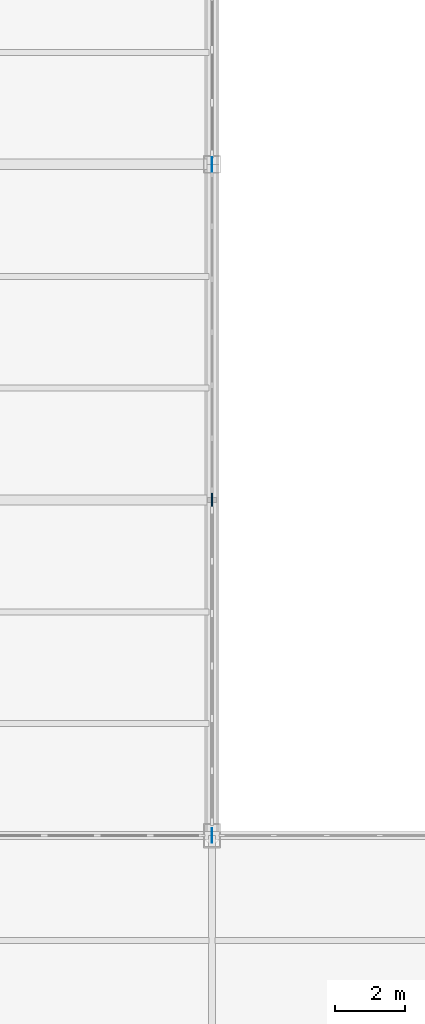
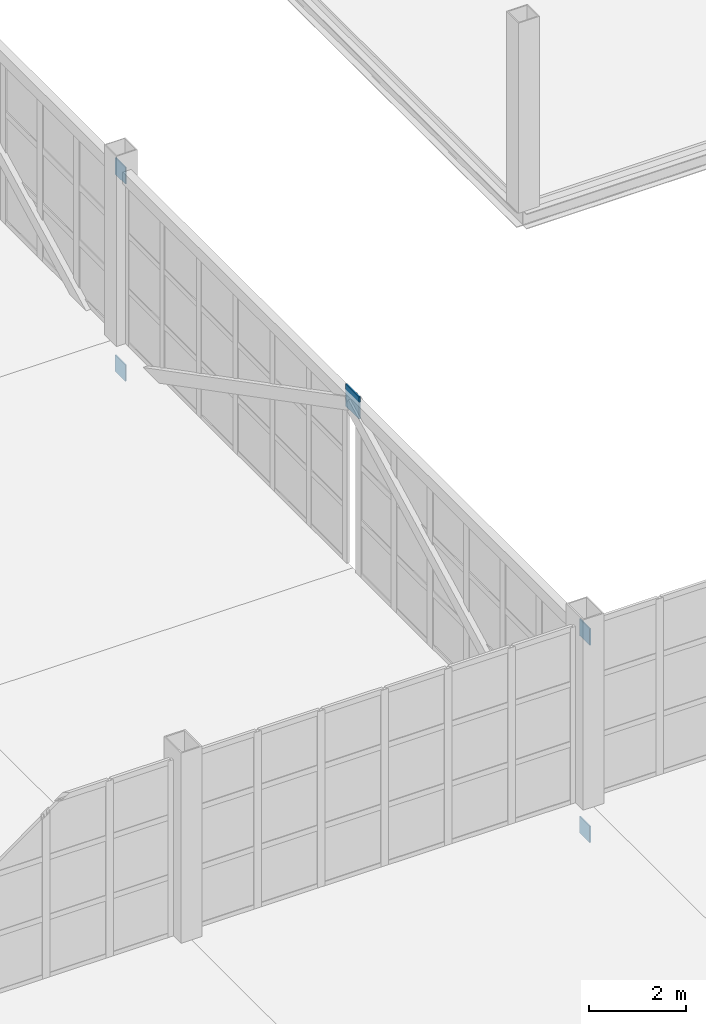
# One storey, part 102 of 120: 5 plates.
"""IFC4 building model written with IfcOpenShell, lengths in metres."""

from ifc_helpers import new_model, si_unit, direction, frame, origin, origin_2d, place, context, subcontext, project, spatial, rectangle, extrude, material, layer, layer_set, type_object, element, save


model = new_model("IFC4")

# Units and contexts
model_context = context("Model", 3, precision=1e-05, world=origin(), true_north=direction((0.0, 1.0)))
body_context = subcontext(model_context, "Body", "Model", "MODEL_VIEW")
ifc_project = project(units=[si_unit("LENGTHUNIT", "METRE"), si_unit("AREAUNIT", "SQUARE_METRE"), si_unit("VOLUMEUNIT", "CUBIC_METRE"), si_unit("PLANEANGLEUNIT", "RADIAN"), si_unit("MASSUNIT", "GRAM", prefix="KILO")], contexts=[model_context])

# Site, building, storey
site_placement = place(None, origin())
site = spatial("IfcSite", under=ifc_project, at=site_placement, CompositionType="ELEMENT")
building_placement = place(site_placement, origin())
building = spatial("IfcBuilding", under=site, at=building_placement, Name="Zarnetskaya Central Station", CompositionType="ELEMENT")
storey_placement = place(building_placement, frame((0.0, 0.0, 5.39990234375)))
storey = spatial("IfcBuildingStorey", under=building, at=storey_placement, Name="L01", CompositionType="ELEMENT", Elevation=5.39990234375)

# Plates
ifc_material = material(Name="Steel S355", Category="steel")
ifc_layer_1 = layer(ifc_material, 0.028076171875, Name="Steel S355", Category="steel")
ifc_layer_set_1 = layer_set([ifc_layer_1], Name="Steel S355")
plate_type_1 = type_object("IfcPlateType", Name="ND-GUSSET-28", PredefinedType="USERDEFINED", material=ifc_layer_set_1)
for number, where, z_axis, x_axis, name in (
    (1, (115.199951171875, 67.199951171875, 3.990234375), (0.0, 0.0, 1.0), (1.0, 0.0, 0.0), "Structural member end gusset plate 105"),
    (2, (115.199951171875, 86.39990234375, 3.990234375), (0.0, 0.0, 1.0), (1.0, 0.0, 0.0), "Structural member end gusset plate 106"),
    (3, (115.199951171875, 67.199951171875, -0.98974609375), (0.0, 0.0, 1.0), (1.0, 0.0, 0.0), "Structural member end gusset plate 107"),
    (4, (115.199951171875, 86.39990234375, -0.98974609375), (0.0, 0.0, 1.0), (1.0, 0.0, 0.0), "Structural member end gusset plate 108"),
):
    element("IfcPlate", number, at=place(storey_placement, frame(where, z_axis=z_axis, x_axis=x_axis)), inside=storey, type_object=plate_type_1, Name=name, ObjectType="GUSSET PLATE", PredefinedType="USERDEFINED", context=body_context, shape_type="SweptSolid", body=[
        extrude(rectangle(XDim=0.028076171875, YDim=0.419921875, at=origin_2d()), origin(), (0.0, 0.0, 1.0), 0.419921875),
    ])
ifc_layer_2 = layer(ifc_material, 0.035888671875, Name="Steel S355", Category="steel")
ifc_layer_set_2 = layer_set([ifc_layer_2], Name="Steel S355")
plate_type_2 = type_object("IfcPlateType", Name="ND-GUSSET-36", PredefinedType="USERDEFINED", material=ifc_layer_set_2)
plate_placement = place(storey_placement, frame((115.199951171875, 76.800048828125, 3.920166015625), z_axis=(0.0, 0.0, 1.0), x_axis=(1.0, 0.0, 0.0)))
element("IfcPlate", 5, at=plate_placement, inside=storey, type_object=plate_type_2, Name="Transfer truss N 9-11 node gusset plate", ObjectType="GUSSET PLATE", PredefinedType="USERDEFINED", context=body_context, shape_type="SweptSolid", body=[
    extrude(rectangle(XDim=0.035888671875, YDim=0.56005859375, at=origin_2d()), origin(), (0.0, 0.0, 1.0), 0.56005859375),
])

save(model, "model.ifc")
